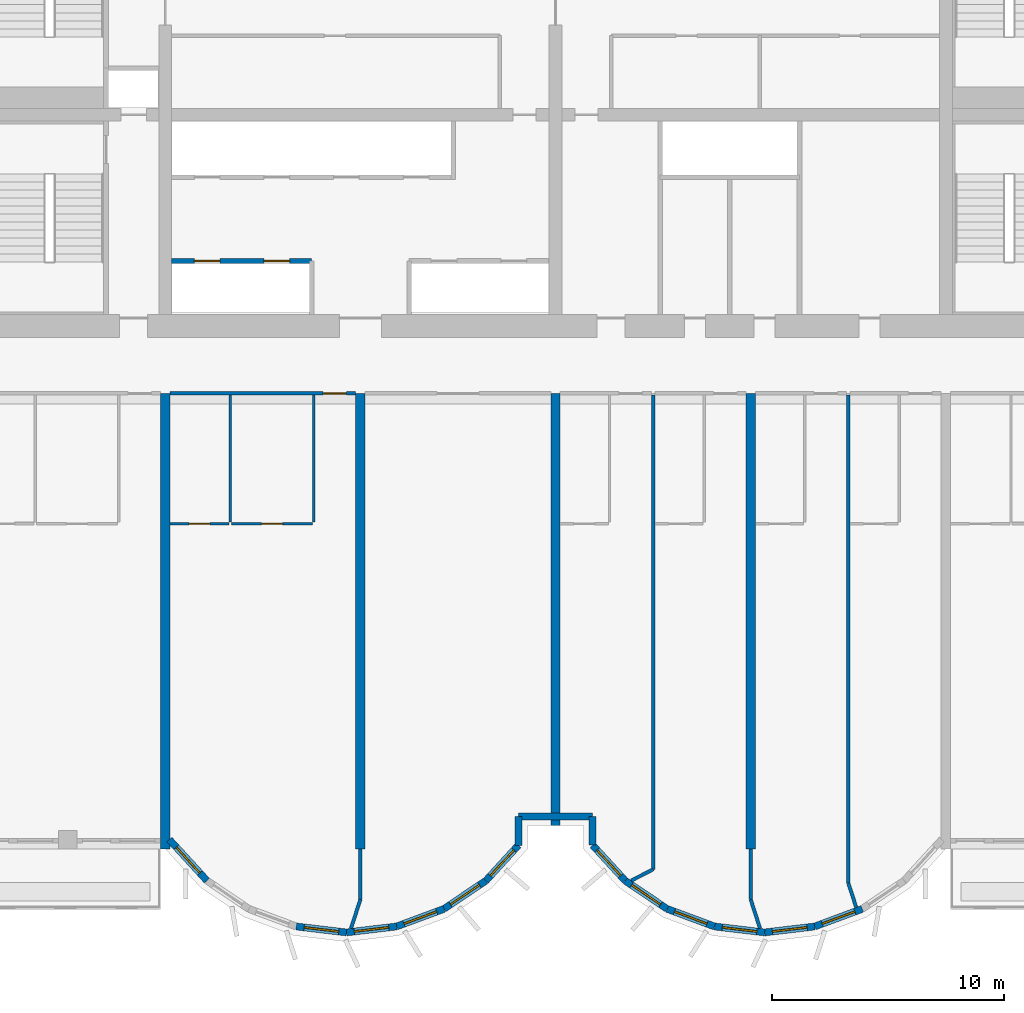
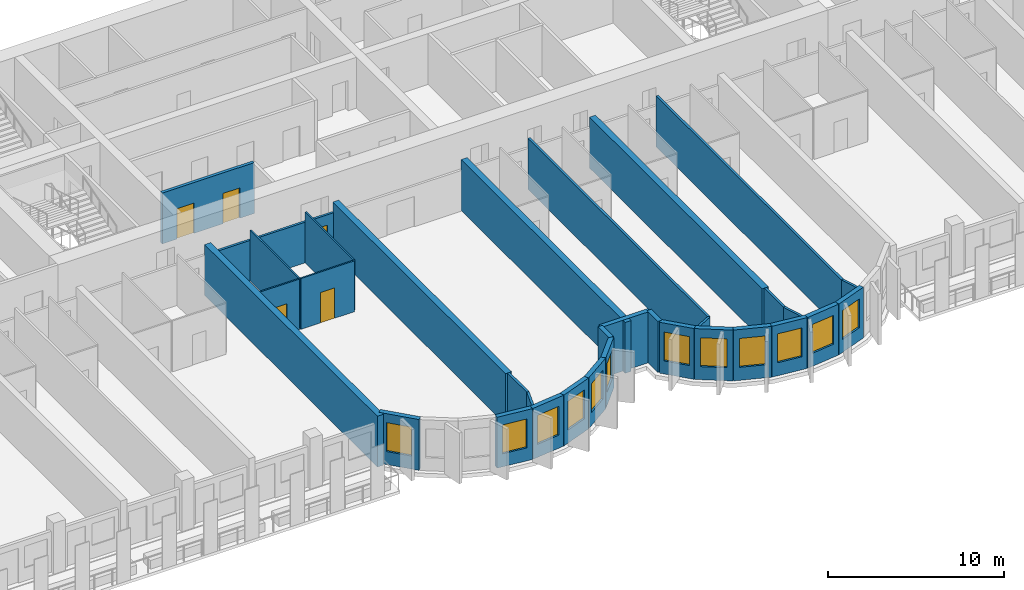
# One storey, part 4 of 14: 33 walls, 12 windows, 5 doors, 17 openings.
"""IFC4 building model written with IfcOpenShell, lengths in metres."""

from ifc_helpers import new_model, si_unit, direction, frame, frame_2d, origin, place, context, subcontext, project, spatial, rectangle, extrude, source, transform, mapped, material, layer, layer_set, type_object, element, fill, save


model = new_model("IFC4")

# Units and contexts
model_context = context("Model", 3, precision=1e-05, world=origin(), true_north=direction((0.0, 1.0)))
body_context = subcontext(model_context, "Body", "Model", "MODEL_VIEW")
ifc_project = project(units=[si_unit("LENGTHUNIT", "METRE"), si_unit("AREAUNIT", "SQUARE_METRE"), si_unit("VOLUMEUNIT", "CUBIC_METRE"), si_unit("PLANEANGLEUNIT", "RADIAN"), si_unit("MASSUNIT", "GRAM", prefix="KILO")], contexts=[model_context])

# Site, building, storey
site_placement = place(None, origin())
site = spatial("IfcSite", under=ifc_project, at=site_placement, CompositionType="ELEMENT")
building_placement = place(site_placement, origin())
building = spatial("IfcBuilding", under=site, at=building_placement, Name="Vanashikhar Sky Hotel", CompositionType="ELEMENT")
storey_placement = place(building_placement, frame((0.0, 0.0, 54.39990234375)))
storey = spatial("IfcBuildingStorey", under=building, at=storey_placement, Name="L12", CompositionType="ELEMENT", Elevation=54.39990234375)

# Walls
ifc_material_1 = material(Name="Concrete M80", Category="concrete")
ifc_layer_1 = layer(ifc_material_1, 0.39990234375)
ifc_layer_set_1 = layer_set([ifc_layer_1], Name="RC shear wall 400 Concrete M80")
wall_type_1 = type_object("IfcWallType", Name="RC shear wall 400 Concrete M80", PredefinedType="SHEAR", material=ifc_layer_set_1)
shared_shape_1 = source(origin(), body_context, "Body", "SweptSolid", [
    extrude(rectangle(XDim=19.60009765625, YDim=0.39990234375, at=frame_2d((9.800048828125, 0.0))), origin(), (0.0, 0.0, 1.0), 3.52001953125),
])
for number, where, z_axis, x_axis, name in (
    (1, (33.60009765625, 0.0, 0.0), (0.0, 0.0, 1.0), (0.0, 1.0, 0.0), "CW-L12-XW05-1"),
    (2, (42.0, 0.0, 0.0), (0.0, 0.0, 1.0), (0.0, 1.0, 0.0), "CW-L12-XW06-1"),
    (3, (58.800048828125, 0.0, 0.0), (0.0, 0.0, 1.0), (0.0, 1.0, 0.0), "CW-L12-XW08-1"),
):
    element("IfcWall", number, at=place(storey_placement, frame(where, z_axis=z_axis, x_axis=x_axis)), inside=storey, type_object=wall_type_1, Name=name, PredefinedType="SHEAR", context=body_context, shape_type="MappedRepresentation", body=[
        mapped(shared_shape_1, transform((0.0, 0.0, 0.0), scale=1.0)),
    ])
shared_shape_2 = source(origin(), body_context, "Body", "SweptSolid", [
    extrude(rectangle(XDim=18.60009765625, YDim=0.39990234375, at=frame_2d((9.300048828125, 0.0))), origin(), (0.0, 0.0, 1.0), 3.52001953125),
])
wall_1_placement = place(storey_placement, frame((50.39990234375, 1.0, 0.0), z_axis=(0.0, 0.0, 1.0), x_axis=(0.0, 1.0, 0.0)))
element("IfcWall", 4, at=wall_1_placement, inside=storey, type_object=wall_type_1, Name="CW-L12-XW07-1", PredefinedType="SHEAR", context=body_context, shape_type="MappedRepresentation", body=[
    mapped(shared_shape_2, transform((0.0, 0.0, 0.0), scale=1.0)),
])

# Wall, opening, window
ifc_material_2 = material(Name="Concrete M50", Category="concrete")
ifc_layer_2 = layer(ifc_material_2, 0.300048828125)
ifc_layer_set_2 = layer_set([ifc_layer_2], Name="Lobe wall 300")
wall_type_2 = type_object("IfcWallType", Name="Lobe wall 300", PredefinedType="SOLIDWALL", material=ifc_layer_set_2)
shared_shape_3 = source(origin(), body_context, "Body", "SweptSolid", [
    extrude(rectangle(XDim=2.398193359375, YDim=0.300048828125, at=frame_2d((1.19921875, 0.0))), origin(), (0.0, 0.0, 1.0), 3.52001953125),
])
wall_2_placement = place(storey_placement, frame((33.776123046875, 0.39990234375, 0.0), z_axis=(0.0, 0.0, 1.0), x_axis=(0.675374189419, -0.737475222815, 0.0)))
wall_2 = element("IfcWall", 5, at=wall_2_placement, inside=storey, type_object=wall_type_2, Name="Lobe wall", PredefinedType="SOLIDWALL", context=body_context, shape_type="MappedRepresentation", body=[
    mapped(shared_shape_3, transform((0.0, 0.0, 0.0), scale=1.0)),
])
shared_shape_4 = source(origin(), body_context, "Body", "SweptSolid", [
    extrude(rectangle(XDim=1.5, YDim=2.0, at=frame_2d((0.75, 1.0))), frame((0.0, 0.16015625, 0.0), z_axis=(0.0, -1.0, 0.0), x_axis=(1.0, 0.0, 0.0)), (0.0, 0.0, 1.0), 0.320068359375),
])
opening_1_placement = place(wall_2_placement, frame((0.44921875, 0.0, 0.89990234375)))
opening_1 = element("IfcOpeningElement", 6, at=opening_1_placement, cuts=wall_2, Name="Opening WN-2", PredefinedType="OPENING", context=body_context, shape_type="MappedRepresentation", body=[
    mapped(shared_shape_4, transform((0.0, 0.0, 0.0), scale=1.0)),
])
ifc_material_3 = material(Name="Glass", Category="glass")
window_type = type_object("IfcWindowType", Name="Lobe window 1500 x 2000", PartitioningType="SINGLE_PANEL", PredefinedType="WINDOW", material=ifc_material_3)
shared_shape_5 = source(origin(), body_context, "Body", "SweptSolid", [
    extrude(rectangle(XDim=1.5, YDim=2.0, at=frame_2d((0.75, 1.0))), frame((0.0, 0.030029296875, 0.0), z_axis=(0.0, -1.0, 0.0), x_axis=(1.0, 0.0, 0.0)), (0.0, 0.0, 1.0), 0.06005859375),
])
window_1_placement = place(opening_1_placement, origin())
window_1 = element("IfcWindow", 7, at=window_1_placement, inside=storey, type_object=window_type, Name="Window WN-2", OverallHeight=2.0, OverallWidth=1.5, PartitioningType="SINGLE_PANEL", PredefinedType="WINDOW", context=body_context, shape_type="MappedRepresentation", body=[
    mapped(shared_shape_5, transform((0.0, 0.0, 0.0), scale=1.0)),
])
fill(opening_1, window_1)

shared_shape_6 = source(origin(), body_context, "Body", "SweptSolid", [
    extrude(rectangle(XDim=2.17578125, YDim=0.300048828125, at=frame_2d((1.087890625, 0.0))), origin(), (0.0, 0.0, 1.0), 3.52001953125),
])
wall_3_placement = place(storey_placement, frame((45.59912109375, -2.58349609375, 0.0), z_axis=(0.0, 0.0, 1.0), x_axis=(0.829625727223, 0.558319937607, 0.0)))
wall_3 = element("IfcWall", 8, at=wall_3_placement, inside=storey, type_object=wall_type_2, Name="Lobe wall", PredefinedType="SOLIDWALL", context=body_context, shape_type="MappedRepresentation", body=[
    mapped(shared_shape_6, transform((0.0, 0.0, 0.0), scale=1.0)),
])
opening_2_placement = place(wall_3_placement, frame((0.337890625, 0.0, 0.89990234375)))
opening_2 = element("IfcOpeningElement", 9, at=opening_2_placement, cuts=wall_3, Name="Opening WN-2", PredefinedType="OPENING", context=body_context, shape_type="MappedRepresentation", body=[
    mapped(shared_shape_4, transform((0.0, 0.0, 0.0), scale=1.0)),
])
window_2_placement = place(opening_2_placement, origin())
window_2 = element("IfcWindow", 10, at=window_2_placement, inside=storey, type_object=window_type, Name="Window WN-2", OverallHeight=2.0, OverallWidth=1.5, PartitioningType="SINGLE_PANEL", PredefinedType="WINDOW", context=body_context, shape_type="MappedRepresentation", body=[
    mapped(shared_shape_5, transform((0.0, 0.0, 0.0), scale=1.0)),
])
fill(opening_2, window_2)

wall_4_placement = place(storey_placement, frame((53.395751953125, -1.36865234375, 0.0), z_axis=(0.0, 0.0, 1.0), x_axis=(0.829590746428, -0.558371913192, 0.0)))
wall_4 = element("IfcWall", 11, at=wall_4_placement, inside=storey, type_object=wall_type_2, Name="Lobe wall", PredefinedType="SOLIDWALL", context=body_context, shape_type="MappedRepresentation", body=[
    mapped(shared_shape_6, transform((0.0, 0.0, 0.0), scale=1.0)),
])
opening_3_placement = place(wall_4_placement, frame((0.337890625, 0.0, 0.89990234375)))
opening_3 = element("IfcOpeningElement", 12, at=opening_3_placement, cuts=wall_4, Name="Opening WN-2", PredefinedType="OPENING", context=body_context, shape_type="MappedRepresentation", body=[
    mapped(shared_shape_4, transform((0.0, 0.0, 0.0), scale=1.0)),
])
window_3_placement = place(opening_3_placement, origin())
window_3 = element("IfcWindow", 13, at=window_3_placement, inside=storey, type_object=window_type, Name="Window WN-2", OverallHeight=2.0, OverallWidth=1.5, PartitioningType="SINGLE_PANEL", PredefinedType="WINDOW", context=body_context, shape_type="MappedRepresentation", body=[
    mapped(shared_shape_5, transform((0.0, 0.0, 0.0), scale=1.0)),
])
fill(opening_3, window_3)

wall_5_placement = place(storey_placement, frame((55.20068359375, -2.58349609375, 0.0), z_axis=(0.0, 0.0, 1.0), x_axis=(0.93754555999, -0.347862505801, 0.0)))
wall_5 = element("IfcWall", 14, at=wall_5_placement, inside=storey, type_object=wall_type_2, Name="Lobe wall", PredefinedType="SOLIDWALL", context=body_context, shape_type="MappedRepresentation", body=[
    mapped(shared_shape_6, transform((0.0, 0.0, 0.0), scale=1.0)),
])
opening_4_placement = place(wall_5_placement, frame((0.337890625, 0.0, 0.89990234375)))
opening_4 = element("IfcOpeningElement", 15, at=opening_4_placement, cuts=wall_5, Name="Opening WN-2", PredefinedType="OPENING", context=body_context, shape_type="MappedRepresentation", body=[
    mapped(shared_shape_4, transform((0.0, 0.0, 0.0), scale=1.0)),
])
window_4_placement = place(opening_4_placement, origin())
window_4 = element("IfcWindow", 16, at=window_4_placement, inside=storey, type_object=window_type, Name="Window WN-2", OverallHeight=2.0, OverallWidth=1.5, PartitioningType="SINGLE_PANEL", PredefinedType="WINDOW", context=body_context, shape_type="MappedRepresentation", body=[
    mapped(shared_shape_5, transform((0.0, 0.0, 0.0), scale=1.0)),
])
fill(opening_4, window_4)

shared_shape_7 = source(origin(), body_context, "Body", "SweptSolid", [
    extrude(rectangle(XDim=2.174560546875, YDim=0.300048828125, at=frame_2d((1.08740234375, 0.0))), origin(), (0.0, 0.0, 1.0), 3.52001953125),
])
wall_6_placement = place(storey_placement, frame((39.240478515625, -3.34033203125, 0.0), z_axis=(0.0, 0.0, 1.0), x_axis=(0.993001132889, -0.118104826659, 0.0)))
wall_6 = element("IfcWall", 17, at=wall_6_placement, inside=storey, type_object=wall_type_2, Name="Lobe wall", PredefinedType="SOLIDWALL", context=body_context, shape_type="MappedRepresentation", body=[
    mapped(shared_shape_7, transform((0.0, 0.0, 0.0), scale=1.0)),
])
opening_5_placement = place(wall_6_placement, frame((0.33740234375, 0.0, 0.89990234375)))
opening_5 = element("IfcOpeningElement", 18, at=opening_5_placement, cuts=wall_6, Name="Opening WN-2", PredefinedType="OPENING", context=body_context, shape_type="MappedRepresentation", body=[
    mapped(shared_shape_4, transform((0.0, 0.0, 0.0), scale=1.0)),
])
window_5_placement = place(opening_5_placement, origin())
window_5 = element("IfcWindow", 19, at=window_5_placement, inside=storey, type_object=window_type, Name="Window WN-2", OverallHeight=2.0, OverallWidth=1.5, PartitioningType="SINGLE_PANEL", PredefinedType="WINDOW", context=body_context, shape_type="MappedRepresentation", body=[
    mapped(shared_shape_5, transform((0.0, 0.0, 0.0), scale=1.0)),
])
fill(opening_5, window_5)

wall_7_placement = place(storey_placement, frame((57.240478515625, -3.34033203125, 0.0), z_axis=(0.0, 0.0, 1.0), x_axis=(0.993001132889, -0.118104826659, 0.0)))
wall_7 = element("IfcWall", 20, at=wall_7_placement, inside=storey, type_object=wall_type_2, Name="Lobe wall", PredefinedType="SOLIDWALL", context=body_context, shape_type="MappedRepresentation", body=[
    mapped(shared_shape_7, transform((0.0, 0.0, 0.0), scale=1.0)),
])
opening_6_placement = place(wall_7_placement, frame((0.33740234375, 0.0, 0.89990234375)))
opening_6 = element("IfcOpeningElement", 21, at=opening_6_placement, cuts=wall_7, Name="Opening WN-2", PredefinedType="OPENING", context=body_context, shape_type="MappedRepresentation", body=[
    mapped(shared_shape_4, transform((0.0, 0.0, 0.0), scale=1.0)),
])
window_6_placement = place(opening_6_placement, origin())
window_6 = element("IfcWindow", 22, at=window_6_placement, inside=storey, type_object=window_type, Name="Window WN-2", OverallHeight=2.0, OverallWidth=1.5, PartitioningType="SINGLE_PANEL", PredefinedType="WINDOW", context=body_context, shape_type="MappedRepresentation", body=[
    mapped(shared_shape_5, transform((0.0, 0.0, 0.0), scale=1.0)),
])
fill(opening_6, window_6)

shared_shape_8 = source(origin(), body_context, "Body", "SweptSolid", [
    extrude(rectangle(XDim=2.1748046875, YDim=0.300048828125, at=frame_2d((1.08740234375, 0.0))), origin(), (0.0, 0.0, 1.0), 3.52001953125),
])
wall_8_placement = place(storey_placement, frame((41.39990234375, -3.59716796875, 0.0), z_axis=(0.0, 0.0, 1.0), x_axis=(0.993002698611, 0.118091661648, 0.0)))
wall_8 = element("IfcWall", 23, at=wall_8_placement, inside=storey, type_object=wall_type_2, Name="Lobe wall", PredefinedType="SOLIDWALL", context=body_context, shape_type="MappedRepresentation", body=[
    mapped(shared_shape_8, transform((0.0, 0.0, 0.0), scale=1.0)),
])
opening_7_placement = place(wall_8_placement, frame((0.33740234375, 0.0, 0.89990234375)))
opening_7 = element("IfcOpeningElement", 24, at=opening_7_placement, cuts=wall_8, Name="Opening WN-2", PredefinedType="OPENING", context=body_context, shape_type="MappedRepresentation", body=[
    mapped(shared_shape_4, transform((0.0, 0.0, 0.0), scale=1.0)),
])
window_7_placement = place(opening_7_placement, origin())
window_7 = element("IfcWindow", 25, at=window_7_placement, inside=storey, type_object=window_type, Name="Window WN-2", OverallHeight=2.0, OverallWidth=1.5, PartitioningType="SINGLE_PANEL", PredefinedType="WINDOW", context=body_context, shape_type="MappedRepresentation", body=[
    mapped(shared_shape_5, transform((0.0, 0.0, 0.0), scale=1.0)),
])
fill(opening_7, window_7)

wall_9_placement = place(storey_placement, frame((59.39990234375, -3.59716796875, 0.0), z_axis=(0.0, 0.0, 1.0), x_axis=(0.993002698611, 0.118091661648, 0.0)))
wall_9 = element("IfcWall", 26, at=wall_9_placement, inside=storey, type_object=wall_type_2, Name="Lobe wall", PredefinedType="SOLIDWALL", context=body_context, shape_type="MappedRepresentation", body=[
    mapped(shared_shape_8, transform((0.0, 0.0, 0.0), scale=1.0)),
])
opening_8_placement = place(wall_9_placement, frame((0.33740234375, 0.0, 0.89990234375)))
opening_8 = element("IfcOpeningElement", 27, at=opening_8_placement, cuts=wall_9, Name="Opening WN-2", PredefinedType="OPENING", context=body_context, shape_type="MappedRepresentation", body=[
    mapped(shared_shape_4, transform((0.0, 0.0, 0.0), scale=1.0)),
])
window_8_placement = place(opening_8_placement, origin())
window_8 = element("IfcWindow", 28, at=window_8_placement, inside=storey, type_object=window_type, Name="Window WN-2", OverallHeight=2.0, OverallWidth=1.5, PartitioningType="SINGLE_PANEL", PredefinedType="WINDOW", context=body_context, shape_type="MappedRepresentation", body=[
    mapped(shared_shape_5, transform((0.0, 0.0, 0.0), scale=1.0)),
])
fill(opening_8, window_8)

shared_shape_9 = source(origin(), body_context, "Body", "SweptSolid", [
    extrude(rectangle(XDim=2.175537109375, YDim=0.300048828125, at=frame_2d((1.087890625, 0.0))), origin(), (0.0, 0.0, 1.0), 3.52001953125),
])
wall_10_placement = place(storey_placement, frame((43.5595703125, -3.34033203125, 0.0), z_axis=(0.0, 0.0, 1.0), x_axis=(0.937531979054, 0.347899106424, 0.0)))
wall_10 = element("IfcWall", 29, at=wall_10_placement, inside=storey, type_object=wall_type_2, Name="Lobe wall", PredefinedType="SOLIDWALL", context=body_context, shape_type="MappedRepresentation", body=[
    mapped(shared_shape_9, transform((0.0, 0.0, 0.0), scale=1.0)),
])
opening_9_placement = place(wall_10_placement, frame((0.337890625, 0.0, 0.89990234375)))
opening_9 = element("IfcOpeningElement", 30, at=opening_9_placement, cuts=wall_10, Name="Opening WN-2", PredefinedType="OPENING", context=body_context, shape_type="MappedRepresentation", body=[
    mapped(shared_shape_4, transform((0.0, 0.0, 0.0), scale=1.0)),
])
window_9_placement = place(opening_9_placement, origin())
window_9 = element("IfcWindow", 31, at=window_9_placement, inside=storey, type_object=window_type, Name="Window WN-2", OverallHeight=2.0, OverallWidth=1.5, PartitioningType="SINGLE_PANEL", PredefinedType="WINDOW", context=body_context, shape_type="MappedRepresentation", body=[
    mapped(shared_shape_5, transform((0.0, 0.0, 0.0), scale=1.0)),
])
fill(opening_9, window_9)

wall_11_placement = place(storey_placement, frame((61.5595703125, -3.34033203125, 0.0), z_axis=(0.0, 0.0, 1.0), x_axis=(0.937531979054, 0.347899106424, 0.0)))
wall_11 = element("IfcWall", 32, at=wall_11_placement, inside=storey, type_object=wall_type_2, Name="Lobe wall", PredefinedType="SOLIDWALL", context=body_context, shape_type="MappedRepresentation", body=[
    mapped(shared_shape_9, transform((0.0, 0.0, 0.0), scale=1.0)),
])
opening_10_placement = place(wall_11_placement, frame((0.337890625, 0.0, 0.89990234375)))
opening_10 = element("IfcOpeningElement", 33, at=opening_10_placement, cuts=wall_11, Name="Opening WN-2", PredefinedType="OPENING", context=body_context, shape_type="MappedRepresentation", body=[
    mapped(shared_shape_4, transform((0.0, 0.0, 0.0), scale=1.0)),
])
window_10_placement = place(opening_10_placement, origin())
window_10 = element("IfcWindow", 34, at=window_10_placement, inside=storey, type_object=window_type, Name="Window WN-2", OverallHeight=2.0, OverallWidth=1.5, PartitioningType="SINGLE_PANEL", PredefinedType="WINDOW", context=body_context, shape_type="MappedRepresentation", body=[
    mapped(shared_shape_5, transform((0.0, 0.0, 0.0), scale=1.0)),
])
fill(opening_10, window_10)

shared_shape_10 = source(origin(), body_context, "Body", "SweptSolid", [
    extrude(rectangle(XDim=2.066650390625, YDim=0.300048828125, at=frame_2d((1.033203125, 0.0))), origin(), (0.0, 0.0, 1.0), 3.52001953125),
])
wall_12_placement = place(storey_placement, frame((47.404296875, -1.36865234375, 0.0), z_axis=(0.0, 0.0, 1.0), x_axis=(0.675355439877, 0.737492393065, 0.0)))
wall_12 = element("IfcWall", 35, at=wall_12_placement, inside=storey, type_object=wall_type_2, Name="Lobe wall", PredefinedType="SOLIDWALL", context=body_context, shape_type="MappedRepresentation", body=[
    mapped(shared_shape_10, transform((0.0, 0.0, 0.0), scale=1.0)),
])
opening_11_placement = place(wall_12_placement, frame((0.283447265625, 0.0, 0.89990234375)))
opening_11 = element("IfcOpeningElement", 36, at=opening_11_placement, cuts=wall_12, Name="Opening WN-2", PredefinedType="OPENING", context=body_context, shape_type="MappedRepresentation", body=[
    mapped(shared_shape_4, transform((0.0, 0.0, 0.0), scale=1.0)),
])
window_11_placement = place(opening_11_placement, origin())
window_11 = element("IfcWindow", 37, at=window_11_placement, inside=storey, type_object=window_type, Name="Window WN-2", OverallHeight=2.0, OverallWidth=1.5, PartitioningType="SINGLE_PANEL", PredefinedType="WINDOW", context=body_context, shape_type="MappedRepresentation", body=[
    mapped(shared_shape_5, transform((0.0, 0.0, 0.0), scale=1.0)),
])
fill(opening_11, window_11)

wall_13_placement = place(storey_placement, frame((52.0, 0.155517578125, 0.0), z_axis=(0.0, 0.0, 1.0), x_axis=(0.675355439877, -0.737492393065, 0.0)))
wall_13 = element("IfcWall", 38, at=wall_13_placement, inside=storey, type_object=wall_type_2, Name="Lobe wall", PredefinedType="SOLIDWALL", context=body_context, shape_type="MappedRepresentation", body=[
    mapped(shared_shape_10, transform((0.0, 0.0, 0.0), scale=1.0)),
])
opening_12_placement = place(wall_13_placement, frame((0.283447265625, 0.0, 0.89990234375)))
opening_12 = element("IfcOpeningElement", 39, at=opening_12_placement, cuts=wall_13, Name="Opening WN-2", PredefinedType="OPENING", context=body_context, shape_type="MappedRepresentation", body=[
    mapped(shared_shape_4, transform((0.0, 0.0, 0.0), scale=1.0)),
])
window_12_placement = place(opening_12_placement, origin())
window_12 = element("IfcWindow", 40, at=window_12_placement, inside=storey, type_object=window_type, Name="Window WN-2", OverallHeight=2.0, OverallWidth=1.5, PartitioningType="SINGLE_PANEL", PredefinedType="WINDOW", context=body_context, shape_type="MappedRepresentation", body=[
    mapped(shared_shape_5, transform((0.0, 0.0, 0.0), scale=1.0)),
])
fill(opening_12, window_12)

# Walls
shared_shape_11 = source(origin(), body_context, "Body", "SweptSolid", [
    extrude(rectangle(XDim=1.244384765625, YDim=0.300048828125, at=frame_2d((0.6220703125, 0.0))), origin(), (0.0, 0.0, 1.0), 3.52001953125),
])
for number, where, z_axis, x_axis, name in (
    (41, (48.800048828125, 0.155517578125, 0.0), (0.0, 0.0, 1.0), (0.0, 1.0, 0.0), "Groove wall"),
    (42, (52.0, 1.39990234375, 0.0), (0.0, 0.0, 1.0), (0.0, -1.0, 0.0), "Groove wall"),
):
    element("IfcWall", number, at=place(storey_placement, frame(where, z_axis=z_axis, x_axis=x_axis)), inside=storey, type_object=wall_type_2, Name=name, PredefinedType="SOLIDWALL", context=body_context, shape_type="MappedRepresentation", body=[
        mapped(shared_shape_11, transform((0.0, 0.0, 0.0), scale=1.0)),
    ])
shared_shape_12 = source(origin(), body_context, "Body", "SweptSolid", [
    extrude(rectangle(XDim=3.199951171875, YDim=0.300048828125, at=frame_2d((1.60009765625, 0.0))), origin(), (0.0, 0.0, 1.0), 3.52001953125),
])
wall_14_placement = place(storey_placement, frame((48.800048828125, 1.39990234375, 0.0), z_axis=(0.0, 0.0, 1.0), x_axis=(1.0, 0.0, 0.0)))
element("IfcWall", 43, at=wall_14_placement, inside=storey, type_object=wall_type_2, Name="Groove wall", PredefinedType="SOLIDWALL", context=body_context, shape_type="MappedRepresentation", body=[
    mapped(shared_shape_12, transform((0.0, 0.0, 0.0), scale=1.0)),
])

# Wall, openings, doors
ifc_material_4 = material(Name="Concrete M40", Category="concrete")
ifc_layer_3 = layer(ifc_material_4, 0.199951171875)
ifc_layer_set_3 = layer_set([ifc_layer_3], Name="Shaft wall 200")
wall_type_3 = type_object("IfcWallType", Name="Shaft wall 200", PredefinedType="SOLIDWALL", material=ifc_layer_set_3)
shared_shape_13 = source(origin(), body_context, "Body", "SweptSolid", [
    extrude(rectangle(XDim=6.02490234375, YDim=0.199951171875, at=frame_2d((3.012451171875, 0.0))), origin(), (0.0, 0.0, 1.0), 3.52001953125),
])
wall_15_placement = place(storey_placement, frame((33.875, 25.300048828125, 0.0), z_axis=(0.0, 0.0, 1.0), x_axis=(1.0, 0.0, 0.0)))
wall_15 = element("IfcWall", 44, at=wall_15_placement, inside=storey, type_object=wall_type_3, Name="Shaft wall 200", PredefinedType="SOLIDWALL", context=body_context, shape_type="MappedRepresentation", body=[
    mapped(shared_shape_13, transform((0.0, 0.0, 0.0), scale=1.0)),
])
shared_shape_14 = source(origin(), body_context, "Body", "SweptSolid", [
    extrude(rectangle(XDim=1.10009765625, YDim=2.10009765625, at=frame_2d((0.550048828125, 1.050048828125))), frame((0.0, 0.10986328125, 0.0), z_axis=(0.0, -1.0, 0.0), x_axis=(1.0, 0.0, 0.0)), (0.0, 0.0, 1.0), 0.219970703125),
])
opening_13_placement = place(wall_15_placement, frame((0.97509765625, 0.0, 0.0)))
opening_13 = element("IfcOpeningElement", 45, at=opening_13_placement, cuts=wall_15, Name="Opening LD", PredefinedType="OPENING", context=body_context, shape_type="MappedRepresentation", body=[
    mapped(shared_shape_14, transform((0.0, 0.0, 0.0), scale=1.0)),
])
opening_14_placement = place(wall_15_placement, frame((3.97509765625, 0.0, 0.0)))
opening_14 = element("IfcOpeningElement", 46, at=opening_14_placement, cuts=wall_15, Name="Opening LD", PredefinedType="OPENING", context=body_context, shape_type="MappedRepresentation", body=[
    mapped(shared_shape_14, transform((0.0, 0.0, 0.0), scale=1.0)),
])
ifc_material_5 = material(Name="Stainless steel", Category="steel")
door_type_1 = type_object("IfcDoorType", Name="Lift landing door 1100", OperationType="NOTDEFINED", PredefinedType="DOOR", material=ifc_material_5)
shared_shape_15 = source(origin(), body_context, "Body", "SweptSolid", [
    extrude(rectangle(XDim=1.10009765625, YDim=2.10009765625, at=frame_2d((0.550048828125, 1.050048828125))), frame((0.0, 0.02490234375, 0.0), z_axis=(0.0, -1.0, 0.0), x_axis=(1.0, 0.0, 0.0)), (0.0, 0.0, 1.0), 0.050048828125),
])
door_1_placement = place(opening_13_placement, origin())
door_1 = element("IfcDoor", 47, at=door_1_placement, inside=storey, type_object=door_type_1, Name="Lift landing door 1100", OperationType="SLIDING_TO_LEFT", OverallHeight=2.10009765625, OverallWidth=1.10009765625, PredefinedType="DOOR", context=body_context, shape_type="MappedRepresentation", body=[
    mapped(shared_shape_15, transform((0.0, 0.0, 0.0), scale=1.0)),
])
fill(opening_13, door_1)
door_2_placement = place(opening_14_placement, origin())
door_2 = element("IfcDoor", 48, at=door_2_placement, inside=storey, type_object=door_type_1, Name="Lift landing door 1100", OperationType="SLIDING_TO_RIGHT", OverallHeight=2.10009765625, OverallWidth=1.10009765625, PredefinedType="DOOR", context=body_context, shape_type="MappedRepresentation", body=[
    mapped(shared_shape_15, transform((0.0, 0.0, 0.0), scale=1.0)),
])
fill(opening_14, door_2)

# Walls
ifc_material_6 = material(Name="Gypsum plasterboard partition")
ifc_layer_4 = layer(ifc_material_6, 0.14990234375)
ifc_layer_set_4 = layer_set([ifc_layer_4], Name="Corridor and demising partition 150")
wall_type_4 = type_object("IfcWallType", Name="Corridor and demising partition 150", PredefinedType="PARTITIONING", material=ifc_layer_set_4)
shared_shape_16 = source(origin(), body_context, "Body", "SweptSolid", [
    extrude(rectangle(XDim=20.997802734375, YDim=0.14990234375, at=frame_2d((10.4990234375, 0.0))), origin(), (0.0, 0.0, 1.0), 3.52001953125),
])
wall_16_placement = place(storey_placement, frame((63.0, -1.472900390625, 0.0), z_axis=(0.0, 0.0, 1.0), x_axis=(0.0, 1.0, 0.0)))
element("IfcWall", 49, at=wall_16_placement, inside=storey, type_object=wall_type_4, Name="W-L12-PW044", PredefinedType="PARTITIONING", context=body_context, shape_type="MappedRepresentation", body=[
    mapped(shared_shape_16, transform((0.0, 0.0, 0.0), scale=1.0)),
])
shared_shape_17 = source(origin(), body_context, "Body", "SweptSolid", [
    extrude(rectangle(XDim=20.406005859375, YDim=0.14990234375, at=frame_2d((10.203125, 0.0))), origin(), (0.0, 0.0, 1.0), 3.52001953125),
])
wall_17_placement = place(storey_placement, frame((54.60009765625, -0.881103515625, 0.0), z_axis=(0.0, 0.0, 1.0), x_axis=(0.0, 1.0, 0.0)))
element("IfcWall", 50, at=wall_17_placement, inside=storey, type_object=wall_type_4, Name="W-L12-PW037", PredefinedType="PARTITIONING", context=body_context, shape_type="MappedRepresentation", body=[
    mapped(shared_shape_17, transform((0.0, 0.0, 0.0), scale=1.0)),
])
shared_shape_18 = source(origin(), body_context, "Body", "SweptSolid", [
    extrude(rectangle(XDim=2.177978515625, YDim=0.14990234375, at=frame_2d((1.0888671875, 0.0))), origin(), (0.0, 0.0, 1.0), 3.52001953125),
])
for number, where, z_axis, x_axis, name in (
    (51, (42.0, -2.177978515625, 0.0), (0.0, 0.0, 1.0), (0.0, 1.0, 0.0), "W-L12-PW071"),
    (52, (58.800048828125, -2.177978515625, 0.0), (0.0, 0.0, 1.0), (0.0, 1.0, 0.0), "W-L12-PW072"),
):
    element("IfcWall", number, at=place(storey_placement, frame(where, z_axis=z_axis, x_axis=x_axis)), inside=storey, type_object=wall_type_4, Name=name, PredefinedType="PARTITIONING", context=body_context, shape_type="MappedRepresentation", body=[
        mapped(shared_shape_18, transform((0.0, 0.0, 0.0), scale=1.0)),
    ])

# Wall, opening, door
ifc_layer_5 = layer(ifc_material_6, 0.10009765625)
ifc_layer_set_5 = layer_set([ifc_layer_5], Name="Wet room partition 100")
wall_type_5 = type_object("IfcWallType", Name="Wet room partition 100", PredefinedType="PARTITIONING", material=ifc_layer_set_5)
shared_shape_19 = source(origin(), body_context, "Body", "SweptSolid", [
    extrude(rectangle(XDim=3.5, YDim=0.10009765625, at=frame_2d((1.75, 0.0))), origin(), (0.0, 0.0, 1.0), 3.52001953125),
])
wall_18_placement = place(storey_placement, frame((36.449951171875, 14.0, 0.0), z_axis=(0.0, 0.0, 1.0), x_axis=(1.0, 0.0, 0.0)))
wall_18 = element("IfcWall", 53, at=wall_18_placement, inside=storey, type_object=wall_type_5, Name="W-L12-PW027", PredefinedType="PARTITIONING", context=body_context, shape_type="MappedRepresentation", body=[
    mapped(shared_shape_19, transform((0.0, 0.0, 0.0), scale=1.0)),
])
shared_shape_20 = source(origin(), body_context, "Body", "SweptSolid", [
    extrude(rectangle(XDim=0.89990234375, YDim=2.10009765625, at=frame_2d((0.449951171875, 1.050048828125))), frame((0.0, 0.06005859375, 0.0), z_axis=(0.0, -1.0, 0.0), x_axis=(1.0, 0.0, 0.0)), (0.0, 0.0, 1.0), 0.1201171875),
])
opening_15_placement = place(wall_18_placement, frame((1.300048828125, 0.0, 0.0)))
opening_15 = element("IfcOpeningElement", 54, at=opening_15_placement, cuts=wall_18, Name="Opening D-02", PredefinedType="OPENING", context=body_context, shape_type="MappedRepresentation", body=[
    mapped(shared_shape_20, transform((0.0, 0.0, 0.0), scale=1.0)),
])
ifc_material_7 = material(Name="Timber door", Category="wood")
door_type_2 = type_object("IfcDoorType", Name="Internal door 900", OperationType="NOTDEFINED", PredefinedType="DOOR", material=ifc_material_7)
shared_shape_21 = source(origin(), body_context, "Body", "SweptSolid", [
    extrude(rectangle(XDim=0.89990234375, YDim=2.10009765625, at=frame_2d((0.449951171875, 1.050048828125))), frame((0.0, 0.02490234375, 0.0), z_axis=(0.0, -1.0, 0.0), x_axis=(1.0, 0.0, 0.0)), (0.0, 0.0, 1.0), 0.050048828125),
])
door_3_placement = place(opening_15_placement, origin())
door_3 = element("IfcDoor", 55, at=door_3_placement, inside=storey, type_object=door_type_2, Name="D-L12-015", OperationType="SINGLE_SWING_RIGHT", OverallHeight=2.10009765625, OverallWidth=0.89990234375, PredefinedType="DOOR", context=body_context, shape_type="MappedRepresentation", body=[
    mapped(shared_shape_21, transform((0.0, 0.0, 0.0), scale=1.0)),
])
fill(opening_15, door_3)

# Walls
shared_shape_22 = source(origin(), body_context, "Body", "SweptSolid", [
    extrude(rectangle(XDim=1.100830078125, YDim=0.14990234375, at=frame_2d((0.55029296875, 0.0))), origin(), (0.0, 0.0, 1.0), 3.52001953125),
])
wall_19_placement = place(storey_placement, frame((63.343017578125, -2.51904296875, 0.0), z_axis=(0.0, 0.0, 1.0), x_axis=(-0.311567081539, 0.950224159712, 0.0)))
element("IfcWall", 56, at=wall_19_placement, inside=storey, type_object=wall_type_4, Name="W-L12-PW044B0", PredefinedType="PARTITIONING", context=body_context, shape_type="MappedRepresentation", body=[
    mapped(shared_shape_22, transform((0.0, 0.0, 0.0), scale=1.0)),
])
shared_shape_23 = source(origin(), body_context, "Body", "SweptSolid", [
    extrude(rectangle(XDim=1.057861328125, YDim=0.14990234375, at=frame_2d((0.52880859375, 0.0))), origin(), (0.0, 0.0, 1.0), 3.52001953125),
])
wall_20_placement = place(storey_placement, frame((53.659912109375, -1.365966796875, 0.0), z_axis=(0.0, 0.0, 1.0), x_axis=(0.888772319209, 0.458348955063, 0.0)))
element("IfcWall", 57, at=wall_20_placement, inside=storey, type_object=wall_type_4, Name="W-L12-PW037B0", PredefinedType="PARTITIONING", context=body_context, shape_type="MappedRepresentation", body=[
    mapped(shared_shape_23, transform((0.0, 0.0, 0.0), scale=1.0)),
])
shared_shape_24 = source(origin(), body_context, "Body", "SweptSolid", [
    extrude(rectangle(XDim=1.308349609375, YDim=0.14990234375, at=frame_2d((0.654296875, 0.0))), origin(), (0.0, 0.0, 1.0), 3.52001953125),
])
for number, where, z_axis, x_axis, name in (
    (58, (41.597900390625, -3.423095703125, 0.0), (0.0, 0.0, 1.0), (0.307313512187, 0.951608325535, 0.0), "W-L12-PW071B0"),
    (59, (59.201904296875, -3.423095703125, 0.0), (0.0, 0.0, 1.0), (-0.307144529633, 0.951662880392, 0.0), "W-L12-PW072B0"),
):
    element("IfcWall", number, at=place(storey_placement, frame(where, z_axis=z_axis, x_axis=x_axis)), inside=storey, type_object=wall_type_4, Name=name, PredefinedType="PARTITIONING", context=body_context, shape_type="MappedRepresentation", body=[
        mapped(shared_shape_24, transform((0.0, 0.0, 0.0), scale=1.0)),
    ])

# Wall, opening, door
shared_shape_25 = source(origin(), body_context, "Body", "SweptSolid", [
    extrude(rectangle(XDim=2.550048828125, YDim=0.10009765625, at=frame_2d((1.27490234375, 0.0))), origin(), (0.0, 0.0, 1.0), 3.52001953125),
])
wall_21_placement = place(storey_placement, frame((33.800048828125, 14.0, 0.0), z_axis=(0.0, 0.0, 1.0), x_axis=(1.0, 0.0, 0.0)))
wall_21 = element("IfcWall", 60, at=wall_21_placement, inside=storey, type_object=wall_type_5, Name="W-L12-PW028", PredefinedType="PARTITIONING", context=body_context, shape_type="MappedRepresentation", body=[
    mapped(shared_shape_25, transform((0.0, 0.0, 0.0), scale=1.0)),
])
opening_16_placement = place(wall_21_placement, frame((0.824951171875, 0.0, 0.0)))
opening_16 = element("IfcOpeningElement", 61, at=opening_16_placement, cuts=wall_21, Name="Opening D-02", PredefinedType="OPENING", context=body_context, shape_type="MappedRepresentation", body=[
    mapped(shared_shape_20, transform((0.0, 0.0, 0.0), scale=1.0)),
])
door_4_placement = place(opening_16_placement, origin())
door_4 = element("IfcDoor", 62, at=door_4_placement, inside=storey, type_object=door_type_2, Name="D-L12-016", OperationType="SINGLE_SWING_RIGHT", OverallHeight=2.10009765625, OverallWidth=0.89990234375, PredefinedType="DOOR", context=body_context, shape_type="MappedRepresentation", body=[
    mapped(shared_shape_21, transform((0.0, 0.0, 0.0), scale=1.0)),
])
fill(opening_16, door_4)

shared_shape_26 = source(origin(), body_context, "Body", "SweptSolid", [
    extrude(rectangle(XDim=8.0, YDim=0.14990234375, at=frame_2d((4.0, 0.0))), origin(), (0.0, 0.0, 1.0), 2.820068359375),
])
wall_22_placement = place(storey_placement, frame((33.800048828125, 19.60009765625, 0.0), z_axis=(0.0, 0.0, 1.0), x_axis=(1.0, 0.0, 0.0)))
wall_22 = element("IfcWall", 63, at=wall_22_placement, inside=storey, type_object=wall_type_4, Name="W-L12-PW029", PredefinedType="PARTITIONING", context=body_context, shape_type="MappedRepresentation", body=[
    mapped(shared_shape_26, transform((0.0, 0.0, 0.0), scale=1.0)),
])
shared_shape_27 = source(origin(), body_context, "Body", "SweptSolid", [
    extrude(rectangle(XDim=1.0, YDim=2.10009765625, at=frame_2d((0.5, 1.050048828125))), frame((0.0, 0.0849609375, 0.0), z_axis=(0.0, -1.0, 0.0), x_axis=(1.0, 0.0, 0.0)), (0.0, 0.0, 1.0), 0.169921875),
])
opening_17_placement = place(wall_22_placement, frame((6.60009765625, 0.0, 0.0)))
opening_17 = element("IfcOpeningElement", 64, at=opening_17_placement, cuts=wall_22, Name="Opening D-01", PredefinedType="OPENING", context=body_context, shape_type="MappedRepresentation", body=[
    mapped(shared_shape_27, transform((0.0, 0.0, 0.0), scale=1.0)),
])
ifc_material_8 = material(Name="Timber fire door", Category="wood")
door_type_3 = type_object("IfcDoorType", Name="Guest entry door 1000 FD30S", OperationType="NOTDEFINED", PredefinedType="DOOR", material=ifc_material_8)
shared_shape_28 = source(origin(), body_context, "Body", "SweptSolid", [
    extrude(rectangle(XDim=1.0, YDim=2.10009765625, at=frame_2d((0.5, 1.050048828125))), frame((0.0, 0.02490234375, 0.0), z_axis=(0.0, -1.0, 0.0), x_axis=(1.0, 0.0, 0.0)), (0.0, 0.0, 1.0), 0.050048828125),
])
door_5_placement = place(opening_17_placement, origin())
door_5 = element("IfcDoor", 65, at=door_5_placement, inside=storey, type_object=door_type_3, Name="D-L12-017", OperationType="SINGLE_SWING_RIGHT", OverallHeight=2.10009765625, OverallWidth=1.0, PredefinedType="DOOR", context=body_context, shape_type="MappedRepresentation", body=[
    mapped(shared_shape_28, transform((0.0, 0.0, 0.0), scale=1.0)),
])
fill(opening_17, door_5)

# Walls
shared_shape_29 = source(origin(), body_context, "Body", "SweptSolid", [
    extrude(rectangle(XDim=5.449951171875, YDim=0.10009765625, at=frame_2d((2.72509765625, 0.0))), origin(), (0.0, 0.0, 1.0), 3.52001953125),
])
for number, where, z_axis, x_axis, name in (
    (66, (40.0, 14.074951171875, 0.0), (0.0, 0.0, 1.0), (0.0, 1.0, 0.0), "W-L12-PW025"),
    (67, (36.39990234375, 14.074951171875, 0.0), (0.0, 0.0, 1.0), (0.0, 1.0, 0.0), "W-L12-PW026"),
):
    element("IfcWall", number, at=place(storey_placement, frame(where, z_axis=z_axis, x_axis=x_axis)), inside=storey, type_object=wall_type_5, Name=name, PredefinedType="PARTITIONING", context=body_context, shape_type="MappedRepresentation", body=[
        mapped(shared_shape_29, transform((0.0, 0.0, 0.0), scale=1.0)),
    ])

save(model, "model.ifc")
